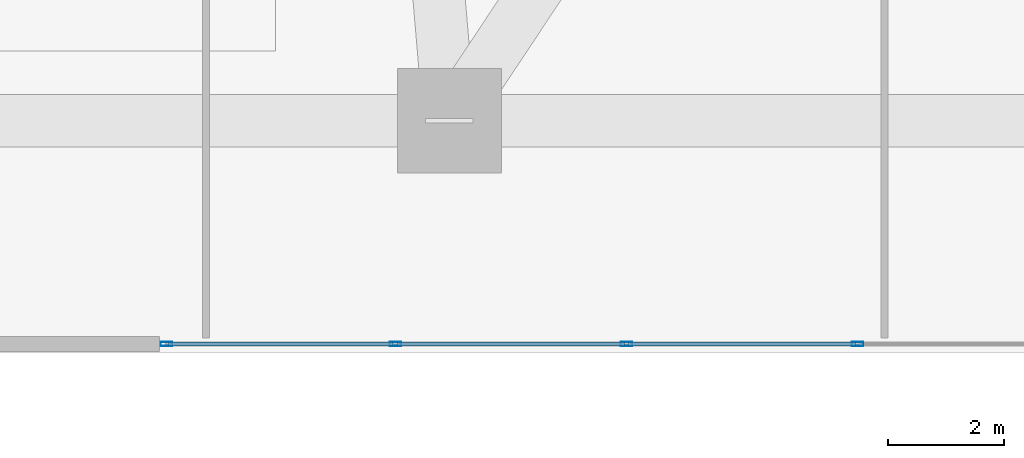
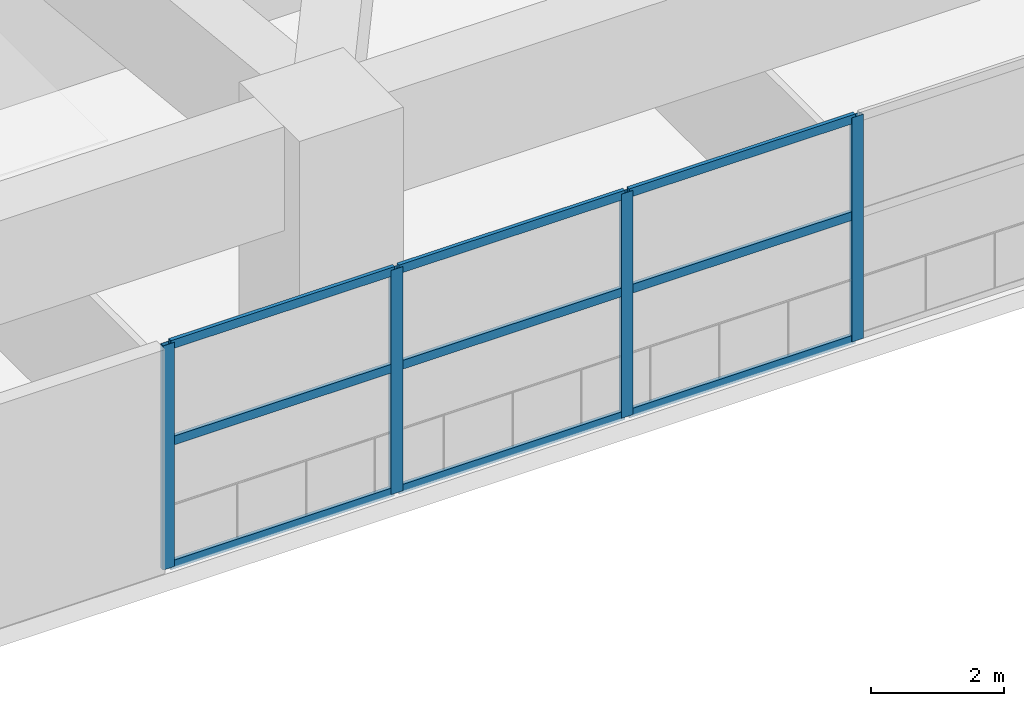
# One storey, part 2 of 27: 13 members, 1 element without a shape of its own.
"""IFC4 building model written with IfcOpenShell, lengths in metres."""

from ifc_helpers import new_model, si_unit, direction, frame, origin, origin_2d, place, context, subcontext, project, spatial, hollow_rectangle, extrude, material, layer, layer_set, material_profile, profile_set, type_object, element, aggregate, save


model = new_model("IFC4")

# Units and contexts
model_context = context("Model", 3, precision=1e-05, world=origin(), true_north=direction((0.0, 1.0)))
body_context = subcontext(model_context, "Body", "Model", "MODEL_VIEW")
ifc_project = project(units=[si_unit("LENGTHUNIT", "METRE"), si_unit("AREAUNIT", "SQUARE_METRE"), si_unit("VOLUMEUNIT", "CUBIC_METRE"), si_unit("PLANEANGLEUNIT", "RADIAN"), si_unit("MASSUNIT", "GRAM", prefix="KILO")], contexts=[model_context])

# Site, building, storey
site_placement = place(None, origin())
site = spatial("IfcSite", under=ifc_project, at=site_placement, CompositionType="ELEMENT")
building_placement = place(site_placement, origin())
building = spatial("IfcBuilding", under=site, at=building_placement, Name="Solvane Sanctuary Tower", CompositionType="ELEMENT")
storey_placement = place(building_placement, frame((0.0, 0.0, 23.0)))
storey = spatial("IfcBuildingStorey", under=building, at=storey_placement, Name="L06", CompositionType="ELEMENT", Elevation=23.0)

# Curtain wall, members
ifc_material = material(Name="Anodised Aluminium 6063-T6", Category="aluminium")
ifc_layer = layer(ifc_material, 0.159912109375, Name="Anodised Aluminium 6063-T6")
ifc_layer_set = layer_set([ifc_layer], Name="Anodised Aluminium 6063-T6")
curtain_wall_type = type_object("IfcCurtainWallType", Name="Curtain Wall CW-POD", PredefinedType="NOTDEFINED", material=ifc_layer_set)
curtain_wall_placement = place(storey_placement, origin())
curtain_wall = element("IfcCurtainWall", 1, at=curtain_wall_placement, inside=storey, type_object=curtain_wall_type, Name="L06 Sanctuary Curtain Wall S2", PredefinedType="NOTDEFINED")
ifc_material_profile_1 = material_profile(ifc_material, hollow_rectangle(XDim=0.074951171875, YDim=0.199951171875, WallThickness=0.00390625, at=origin_2d()), Name="ALU200X75X4")
ifc_profile_set_1 = profile_set([ifc_material_profile_1], Name="Anodised Aluminium 6063-T6")
member_type_1 = type_object("IfcMemberType", Name="Member M-CW-MUL-1 ALU200X75X4", PredefinedType="MULLION", material=ifc_profile_set_1)
member_1_placement = place(storey_placement, frame((20.117431640625, 0.14990234375, 0.0), z_axis=(0.0, 0.0, 1.0), x_axis=(0.0, 1.0, 0.0)))
member_1 = element("IfcMember", 2, at=member_1_placement, type_object=member_type_1, Name="CW-POD mullion 1", PredefinedType="MULLION", context=body_context, shape_type="SweptSolid", body=[
    extrude(hollow_rectangle(XDim=0.074951171875, YDim=0.199951171875, WallThickness=0.00390625, at=origin_2d()), origin(), (0.0, 0.0, 1.0), 4.10009765625),
])
member_2_placement = place(storey_placement, frame((24.066650390625, 0.14990234375, 0.0), z_axis=(0.0, 0.0, 1.0), x_axis=(0.0, 1.0, 0.0)))
member_2 = element("IfcMember", 3, at=member_2_placement, type_object=member_type_1, Name="CW-POD mullion 2", PredefinedType="MULLION", context=body_context, shape_type="SweptSolid", body=[
    extrude(hollow_rectangle(XDim=0.074951171875, YDim=0.199951171875, WallThickness=0.00390625, at=origin_2d()), origin(), (0.0, 0.0, 1.0), 4.10009765625),
])
member_3_placement = place(storey_placement, frame((28.05322265625, 0.14990234375, 0.0), z_axis=(0.0, 0.0, 1.0), x_axis=(0.0, 1.0, 0.0)))
member_3 = element("IfcMember", 4, at=member_3_placement, type_object=member_type_1, Name="CW-POD mullion 3", PredefinedType="MULLION", context=body_context, shape_type="SweptSolid", body=[
    extrude(hollow_rectangle(XDim=0.074951171875, YDim=0.199951171875, WallThickness=0.00390625, at=origin_2d()), origin(), (0.0, 0.0, 1.0), 4.10009765625),
])
member_4_placement = place(storey_placement, frame((32.0400390625, 0.14990234375, 0.0), z_axis=(0.0, 0.0, 1.0), x_axis=(0.0, 1.0, 0.0)))
member_4 = element("IfcMember", 5, at=member_4_placement, type_object=member_type_1, Name="CW-POD mullion 4", PredefinedType="MULLION", context=body_context, shape_type="SweptSolid", body=[
    extrude(hollow_rectangle(XDim=0.074951171875, YDim=0.199951171875, WallThickness=0.00390625, at=origin_2d()), origin(), (0.0, 0.0, 1.0), 4.10009765625),
])
ifc_material_profile_2 = material_profile(ifc_material, hollow_rectangle(XDim=0.06494140625, YDim=0.159912109375, WallThickness=0.00341796875, at=origin_2d()), Name="ALU160X65X3.5")
ifc_profile_set_2 = profile_set([ifc_material_profile_2], Name="Anodised Aluminium 6063-T6")
member_type_2 = type_object("IfcMemberType", Name="Member M-CW-TRN-1 ALU160X65X3.5", PredefinedType="USERDEFINED", material=ifc_profile_set_2)
member_5_placement = place(storey_placement, frame((20.155029296875, 0.14990234375, 0.032470703125), z_axis=(1.0, 0.0, 0.0), x_axis=(0.0, 1.0, 0.0)))
member_5 = element("IfcMember", 6, at=member_5_placement, type_object=member_type_2, Name="CW-POD transom 1.1", ObjectType="TRANSOM", PredefinedType="USERDEFINED", context=body_context, shape_type="SweptSolid", body=[
    extrude(hollow_rectangle(XDim=0.06494140625, YDim=0.159912109375, WallThickness=0.00341796875, at=origin_2d()), origin(), (0.0, 0.0, 1.0), 3.8740234375),
])
member_6_placement = place(storey_placement, frame((20.155029296875, 0.14990234375, 2.300048828125), z_axis=(1.0, 0.0, 0.0), x_axis=(0.0, 1.0, 0.0)))
member_6 = element("IfcMember", 7, at=member_6_placement, type_object=member_type_2, Name="CW-POD transom 1.2", ObjectType="TRANSOM", PredefinedType="USERDEFINED", context=body_context, shape_type="SweptSolid", body=[
    extrude(hollow_rectangle(XDim=0.06494140625, YDim=0.159912109375, WallThickness=0.00341796875, at=origin_2d()), origin(), (0.0, 0.0, 1.0), 3.8740234375),
])
member_7_placement = place(storey_placement, frame((20.155029296875, 0.14990234375, 4.0673828125), z_axis=(1.0, 0.0, 0.0), x_axis=(0.0, 1.0, 0.0)))
member_7 = element("IfcMember", 8, at=member_7_placement, type_object=member_type_2, Name="CW-POD transom 1.3", ObjectType="TRANSOM", PredefinedType="USERDEFINED", context=body_context, shape_type="SweptSolid", body=[
    extrude(hollow_rectangle(XDim=0.06494140625, YDim=0.159912109375, WallThickness=0.00341796875, at=origin_2d()), origin(), (0.0, 0.0, 1.0), 3.8740234375),
])
member_8_placement = place(storey_placement, frame((24.104248046875, 0.14990234375, 0.032470703125), z_axis=(1.0, 0.0, 0.0), x_axis=(0.0, 1.0, 0.0)))
member_8 = element("IfcMember", 9, at=member_8_placement, type_object=member_type_2, Name="CW-POD transom 2.1", ObjectType="TRANSOM", PredefinedType="USERDEFINED", context=body_context, shape_type="SweptSolid", body=[
    extrude(hollow_rectangle(XDim=0.06494140625, YDim=0.159912109375, WallThickness=0.00341796875, at=origin_2d()), origin(), (0.0, 0.0, 1.0), 3.91162109375),
])
member_9_placement = place(storey_placement, frame((24.104248046875, 0.14990234375, 2.300048828125), z_axis=(1.0, 0.0, 0.0), x_axis=(0.0, 1.0, 0.0)))
member_9 = element("IfcMember", 10, at=member_9_placement, type_object=member_type_2, Name="CW-POD transom 2.2", ObjectType="TRANSOM", PredefinedType="USERDEFINED", context=body_context, shape_type="SweptSolid", body=[
    extrude(hollow_rectangle(XDim=0.06494140625, YDim=0.159912109375, WallThickness=0.00341796875, at=origin_2d()), origin(), (0.0, 0.0, 1.0), 3.91162109375),
])
member_10_placement = place(storey_placement, frame((24.104248046875, 0.14990234375, 4.0673828125), z_axis=(1.0, 0.0, 0.0), x_axis=(0.0, 1.0, 0.0)))
member_10 = element("IfcMember", 11, at=member_10_placement, type_object=member_type_2, Name="CW-POD transom 2.3", ObjectType="TRANSOM", PredefinedType="USERDEFINED", context=body_context, shape_type="SweptSolid", body=[
    extrude(hollow_rectangle(XDim=0.06494140625, YDim=0.159912109375, WallThickness=0.00341796875, at=origin_2d()), origin(), (0.0, 0.0, 1.0), 3.91162109375),
])
member_11_placement = place(storey_placement, frame((28.0908203125, 0.14990234375, 0.032470703125), z_axis=(1.0, 0.0, 0.0), x_axis=(0.0, 1.0, 0.0)))
member_11 = element("IfcMember", 12, at=member_11_placement, type_object=member_type_2, Name="CW-POD transom 3.1", ObjectType="TRANSOM", PredefinedType="USERDEFINED", context=body_context, shape_type="SweptSolid", body=[
    extrude(hollow_rectangle(XDim=0.06494140625, YDim=0.159912109375, WallThickness=0.00341796875, at=origin_2d()), origin(), (0.0, 0.0, 1.0), 3.91162109375),
])
member_12_placement = place(storey_placement, frame((28.0908203125, 0.14990234375, 2.300048828125), z_axis=(1.0, 0.0, 0.0), x_axis=(0.0, 1.0, 0.0)))
member_12 = element("IfcMember", 13, at=member_12_placement, type_object=member_type_2, Name="CW-POD transom 3.2", ObjectType="TRANSOM", PredefinedType="USERDEFINED", context=body_context, shape_type="SweptSolid", body=[
    extrude(hollow_rectangle(XDim=0.06494140625, YDim=0.159912109375, WallThickness=0.00341796875, at=origin_2d()), origin(), (0.0, 0.0, 1.0), 3.91162109375),
])
member_13_placement = place(storey_placement, frame((28.0908203125, 0.14990234375, 4.0673828125), z_axis=(1.0, 0.0, 0.0), x_axis=(0.0, 1.0, 0.0)))
member_13 = element("IfcMember", 14, at=member_13_placement, type_object=member_type_2, Name="CW-POD transom 3.3", ObjectType="TRANSOM", PredefinedType="USERDEFINED", context=body_context, shape_type="SweptSolid", body=[
    extrude(hollow_rectangle(XDim=0.06494140625, YDim=0.159912109375, WallThickness=0.00341796875, at=origin_2d()), origin(), (0.0, 0.0, 1.0), 3.91162109375),
])
aggregate(curtain_wall, [member_1, member_2, member_3, member_4, member_5, member_6, member_7, member_8, member_9, member_10, member_11, member_12, member_13])

save(model, "model.ifc")
